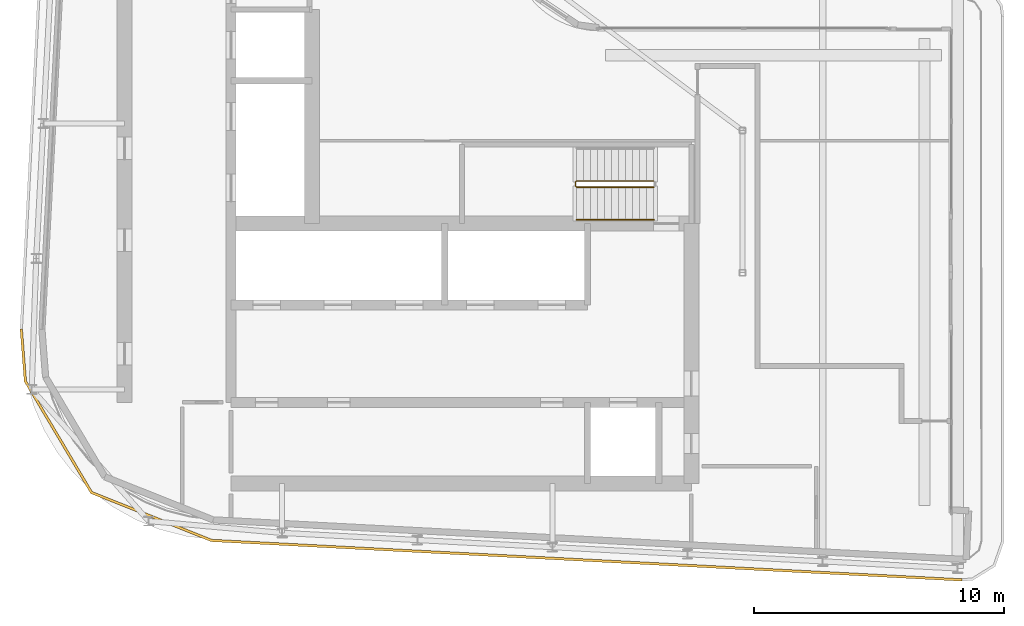
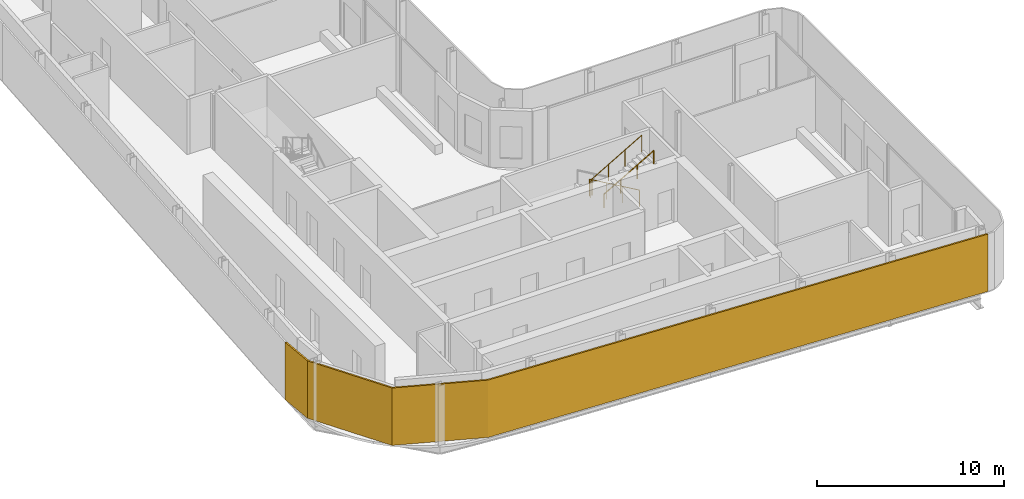
# One storey, part 16 of 21: 2 railings, 1 shading device.
"""IFC4 building model written with IfcOpenShell, lengths in metres."""

from ifc_helpers import new_model, si_unit, direction, frame, origin, origin_2d, place, context, subcontext, project, spatial, polyline, circle, outline, extrude, material, layer, layer_set, type_object, element, save


model = new_model("IFC4")

# Units and contexts
model_context = context("Model", 3, precision=1e-05, world=origin(), true_north=direction((0.0, 1.0)))
body_context = subcontext(model_context, "Body", "Model", "MODEL_VIEW")
ifc_project = project(units=[si_unit("LENGTHUNIT", "METRE"), si_unit("AREAUNIT", "SQUARE_METRE"), si_unit("VOLUMEUNIT", "CUBIC_METRE"), si_unit("PLANEANGLEUNIT", "RADIAN"), si_unit("MASSUNIT", "GRAM", prefix="KILO")], contexts=[model_context])

# Site, building, storey
site_placement = place(None, origin())
site = spatial("IfcSite", under=ifc_project, at=site_placement, CompositionType="ELEMENT")
building_placement = place(site_placement, origin())
building = spatial("IfcBuilding", under=site, at=building_placement, Name="Kheshtan School and Residences Tower", CompositionType="ELEMENT")
storey_placement = place(building_placement, frame((0.0, 0.0, 282.5)))
storey = spatial("IfcBuildingStorey", under=building, at=storey_placement, Name="L66", CompositionType="ELEMENT", Elevation=282.5)

# Shading device
ifc_material_1 = material(Name="Terracotta baguette, extruded ceramic", Category="masonry")
ifc_layer = layer(ifc_material_1, 0.10009765625)
ifc_layer_set = layer_set([ifc_layer], Name="Ledge screen, terracotta baguettes")
shading_device_type = type_object("IfcShadingDeviceType", Name="Ledge screen, terracotta baguettes", PredefinedType="USERDEFINED", material=ifc_layer_set)
shading_device_placement = place(storey_placement, origin())
element("IfcShadingDevice", 1, at=shading_device_placement, inside=storey, type_object=shading_device_type, Name="Screen L66 3", ObjectType="BAGUETTE", PredefinedType="USERDEFINED", context=body_context, shape_type="SweptSolid", body=[
    extrude(outline(polyline([(63.970947265625, 22.001953125), (33.989013671875, 23.580078125), (29.2119140625, 25.486083984375), (26.583984375, 29.906982421875), (26.419921875, 31.989013671875), (26.320068359375, 31.98095703125), (26.486083984375, 29.8759765625), (29.14306640625, 25.406005859375), (33.967041015625, 23.48095703125), (63.966064453125, 21.902099609375), (63.970947265625, 22.001953125)])), origin(), (0.0, 0.0, 1.0), 3.75),
])

# Railings
ifc_material_2 = material(Name="Stainless steel balustrade", Category="steel")
railing_type_1 = type_object("IfcRailingType", Name="Stair guard 1100", PredefinedType="GUARDRAIL", material=ifc_material_2)
railing_1_placement = place(storey_placement, frame((51.64990234375, 37.89990234375, 0.16259765625)))
element("IfcRailing", 2, at=railing_1_placement, inside=storey, type_object=railing_type_1, Name="L66 ST1 stair guard 1", PredefinedType="GUARDRAIL", context=body_context, shape_type="SweptSolid", body=[
    extrude(circle(Radius=0.02392578125, at=origin_2d()), frame((0.0, 0.0, 1.076171875), z_axis=(-0.864903211148, 0.0, 0.501938676878), x_axis=(0.0, -1.0, 0.0)), (0.0, 0.0, 1.0), 3.560791015625),
    extrude(circle(Radius=0.02392578125, at=origin_2d()), frame((-3.079833984375, 0.0, 2.86328125), z_axis=(-0.708833529934, -0.705375805398, 0.0), x_axis=(0.705375805398, -0.708833529934, 0.0)), (0.0, 0.0, 1.0), 0.070556640625),
    extrude(circle(Radius=0.02392578125, at=origin_2d()), frame((-3.1298828125, -0.0498046875, 2.86328125), z_axis=(0.0, -1.0, 0.0), x_axis=(1.0, 0.0, 0.0)), (0.0, 0.0, 1.0), 0.150146484375),
    extrude(circle(Radius=0.02392578125, at=origin_2d()), frame((-3.1298828125, -0.199951171875, 2.86328125), z_axis=(0.282227285176, -0.282227285176, 0.916894497205), x_axis=(0.707106781187, 0.707106781187, 0.0)), (0.0, 0.0, 1.0), 0.17724609375),
    extrude(circle(Radius=0.02392578125, at=origin_2d()), frame((-3.079833984375, -0.25, 3.02587890625), z_axis=(0.864903211148, 0.0, 0.501938676878), x_axis=(0.0, 1.0, 0.0)), (0.0, 0.0, 1.0), 3.560791015625),
    extrude(circle(Radius=0.02099609375, at=origin_2d()), origin(), (0.0, 0.0, 1.0), 1.052001953125),
    extrude(circle(Radius=0.02099609375, at=origin_2d()), frame((-1.026611328125, 0.0, 0.595703125)), (0.0, 0.0, 1.0), 1.052001953125),
    extrude(circle(Radius=0.02099609375, at=origin_2d()), frame((-2.05322265625, 0.0, 1.191650390625)), (0.0, 0.0, 1.0), 1.052001953125),
    extrude(circle(Radius=0.02099609375, at=origin_2d()), frame((-3.079833984375, 0.0, 1.787353515625)), (0.0, 0.0, 1.0), 1.052001953125),
    extrude(circle(Radius=0.02099609375, at=origin_2d()), frame((-3.1298828125, -0.0498046875, 1.787353515625)), (0.0, 0.0, 1.0), 1.052001953125),
    extrude(circle(Radius=0.02099609375, at=origin_2d()), frame((-3.1298828125, -0.199951171875, 1.787353515625)), (0.0, 0.0, 1.0), 1.052001953125),
    extrude(circle(Radius=0.02099609375, at=origin_2d()), frame((-3.079833984375, -0.25, 1.949951171875)), (0.0, 0.0, 1.0), 1.052001953125),
    extrude(circle(Radius=0.02099609375, at=origin_2d()), frame((-2.05322265625, -0.25, 2.545654296875)), (0.0, 0.0, 1.0), 1.052001953125),
    extrude(circle(Radius=0.02099609375, at=origin_2d()), frame((-1.026611328125, -0.25, 3.1416015625)), (0.0, 0.0, 1.0), 1.052001953125),
    extrude(circle(Radius=0.02099609375, at=origin_2d()), frame((0.0, -0.25, 3.7373046875)), (0.0, 0.0, 1.0), 1.052001953125),
])
ifc_material_3 = material(Name="Stainless steel handrail", Category="steel")
railing_type_2 = type_object("IfcRailingType", Name="Stair handrail 900", PredefinedType="HANDRAIL", material=ifc_material_3)
railing_2_placement = place(storey_placement, frame((48.570068359375, 36.35009765625, 2.112548828125)))
element("IfcRailing", 3, at=railing_2_placement, inside=storey, type_object=railing_type_2, Name="L66 ST1 stair handrail 2", PredefinedType="HANDRAIL", context=body_context, shape_type="SweptSolid", body=[
    extrude(circle(Radius=0.02392578125, at=origin_2d()), frame((0.0, 0.0, 0.8759765625), z_axis=(0.864903211148, 0.0, 0.501938676878), x_axis=(0.0, 1.0, 0.0)), (0.0, 0.0, 1.0), 3.560791015625),
    extrude(circle(Radius=0.02099609375, at=origin_2d()), origin(), (0.0, 0.0, 1.0), 0.851806640625),
    extrude(circle(Radius=0.02099609375, at=origin_2d()), frame((1.026611328125, 0.0, 0.595703125)), (0.0, 0.0, 1.0), 0.851806640625),
    extrude(circle(Radius=0.02099609375, at=origin_2d()), frame((2.05322265625, 0.0, 1.191650390625)), (0.0, 0.0, 1.0), 0.851806640625),
    extrude(circle(Radius=0.02099609375, at=origin_2d()), frame((3.079833984375, 0.0, 1.787353515625)), (0.0, 0.0, 1.0), 0.851806640625),
])

save(model, "model.ifc")
